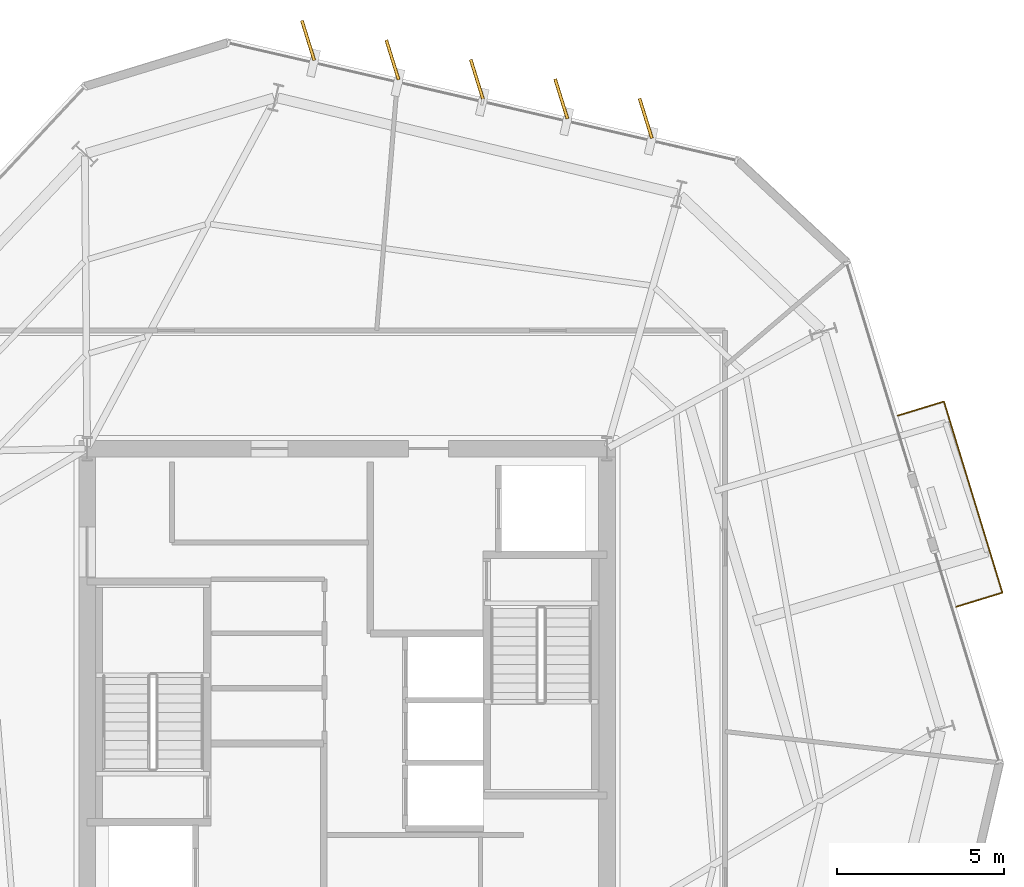
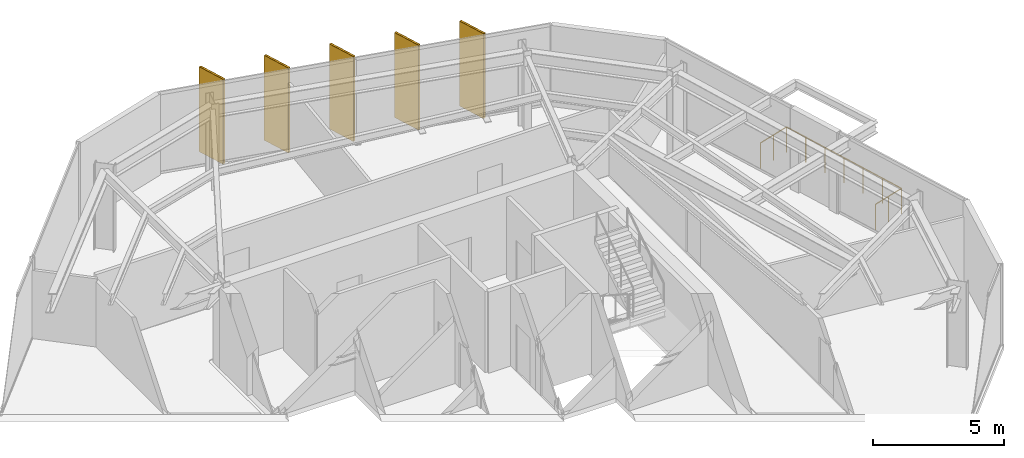
# One storey, part 11 of 11: 5 coverings, 5 shading devices, 1 railing.
"""IFC4 building model written with IfcOpenShell, lengths in metres."""

from ifc_helpers import new_model, si_unit, direction, frame, origin, origin_2d, place, context, subcontext, project, spatial, rectangle, circle, extrude, material, layer, layer_set, type_object, element, save


model = new_model("IFC4")

# Units and contexts
model_context = context("Model", 3, precision=1e-05, world=origin(), true_north=direction((0.0, 1.0)))
body_context = subcontext(model_context, "Body", "Model", "MODEL_VIEW")
ifc_project = project(units=[si_unit("LENGTHUNIT", "METRE"), si_unit("AREAUNIT", "SQUARE_METRE"), si_unit("VOLUMEUNIT", "CUBIC_METRE"), si_unit("PLANEANGLEUNIT", "RADIAN"), si_unit("MASSUNIT", "GRAM", prefix="KILO")], contexts=[model_context])

# Site, building, storey
site_placement = place(None, origin())
site = spatial("IfcSite", under=ifc_project, at=site_placement, CompositionType="ELEMENT")
building_placement = place(site_placement, origin())
building = spatial("IfcBuilding", under=site, at=building_placement, Name="Kranzbogen Civic Tower", CompositionType="ELEMENT")
storey_placement = place(building_placement, frame((0.0, 0.0, 212.800048828125)))
storey = spatial("IfcBuildingStorey", under=building, at=storey_placement, Name="L51", CompositionType="ELEMENT", Elevation=212.800048828125)

# Coverings
ifc_material_1 = material(Name="Pale Anodised Aluminium", Category="aluminium")
ifc_layer = layer(ifc_material_1, 0.02490234375, Name="Pale Anodised Aluminium")
ifc_layer_set = layer_set([ifc_layer], Name="Pale Anodised Aluminium")
covering_type = type_object("IfcCoveringType", Name="Anodised Aluminium Vertical Fin Cladding 25 mm", PredefinedType="CLADDING", material=ifc_layer_set)
for number, where, z_axis, x_axis, name in (
    (1, (33.964111328125, 42.112060546875, -0.14013671875), (0.0, 0.0, 1.0), (-0.296491569842, 0.955035470029, 0.0), "L51 vertical fin pale-metal cladding F1-1"),
    (2, (31.430908203125, 42.697021484375, -0.14013671875), (0.0, 0.0, 1.0), (-0.296491569842, 0.955035470029, 0.0), "L51 vertical fin pale-metal cladding F1-2"),
    (3, (28.89697265625, 43.281982421875, -0.14013671875), (0.0, 0.0, 1.0), (-0.296491569842, 0.955035470029, 0.0), "L51 vertical fin pale-metal cladding F1-3"),
    (4, (26.364013671875, 43.866943359375, -0.14013671875), (0.0, 0.0, 1.0), (-0.296491569842, 0.955035470029, 0.0), "L51 vertical fin pale-metal cladding F1-4"),
    (5, (23.8310546875, 44.451904296875, -0.14013671875), (0.0, 0.0, 1.0), (-0.296491569842, 0.955035470029, 0.0), "L51 vertical fin pale-metal cladding F1-5"),
):
    element("IfcCovering", number, at=place(storey_placement, frame(where, z_axis=z_axis, x_axis=x_axis)), inside=storey, type_object=covering_type, Name=name, PredefinedType="CLADDING", context=body_context, shape_type="SweptSolid", body=[
        extrude(rectangle(XDim=1.25, YDim=0.10009765625, at=origin_2d()), origin(), (0.0, 0.0, 1.0), 3.9599609375),
    ])

# Shading devices
ifc_material_2 = material(Name="Anodised Bronze Aluminium", Category="aluminium")
shading_device_type = type_object("IfcShadingDeviceType", Name="Anodised Bronze Vertical Facade Fin 1250x80", PredefinedType="USERDEFINED", material=ifc_material_2)
for number, where, z_axis, x_axis, name in (
    (6, (33.964111328125, 42.112060546875, -0.14013671875), (0.0, 0.0, 1.0), (-0.296491569842, 0.955035470029, 0.0), "L51 vertical exterior shading fin F1-1"),
    (7, (31.430908203125, 42.697021484375, -0.14013671875), (0.0, 0.0, 1.0), (-0.296491569842, 0.955035470029, 0.0), "L51 vertical exterior shading fin F1-2"),
    (8, (28.89697265625, 43.281982421875, -0.14013671875), (0.0, 0.0, 1.0), (-0.296491569842, 0.955035470029, 0.0), "L51 vertical exterior shading fin F1-3"),
    (9, (26.364013671875, 43.866943359375, -0.14013671875), (0.0, 0.0, 1.0), (-0.296491569842, 0.955035470029, 0.0), "L51 vertical exterior shading fin F1-4"),
    (10, (23.8310546875, 44.451904296875, -0.14013671875), (0.0, 0.0, 1.0), (-0.296491569842, 0.955035470029, 0.0), "L51 vertical exterior shading fin F1-5"),
):
    element("IfcShadingDevice", number, at=place(storey_placement, frame(where, z_axis=z_axis, x_axis=x_axis)), inside=storey, type_object=shading_device_type, Name=name, ObjectType="FIN", PredefinedType="USERDEFINED", context=body_context, shape_type="SweptSolid", body=[
        extrude(rectangle(XDim=1.25, YDim=0.080078125, at=origin_2d()), origin(), (0.0, 0.0, 1.0), 3.9599609375),
    ])

# Railing
railing_type = type_object("IfcRailingType", Name="Cantilevered Balcony Glass and Bronze Balustrade 1200", PredefinedType="BALUSTRADE", material=ifc_material_2)
railing_placement = place(storey_placement, frame((43.281982421875, 27.451904296875, 0.0)))
element("IfcRailing", 11, at=railing_placement, inside=storey, type_object=railing_type, Name="L51 exterior terrace balustrade L51-TB2", PredefinedType="BALUSTRADE", context=body_context, shape_type="SweptSolid", body=[
    extrude(circle(Radius=0.02392578125, at=origin_2d()), frame((0.0, 0.0, 1.17578125), z_axis=(0.956297978379, 0.292393872284, 0.0), x_axis=(-0.292393872284, 0.956297978379, 0.0)), (0.0, 0.0, 1.0), 1.450439453125),
    extrude(circle(Radius=0.02392578125, at=origin_2d()), frame((1.386962890625, 0.424072265625, 1.17578125), z_axis=(-0.292312605077, 0.956322822541, 0.0), x_axis=(-0.956322822541, -0.292312605077, 0.0)), (0.0, 0.0, 1.0), 6.0),
    extrude(circle(Radius=0.02392578125, at=origin_2d()), frame((-0.366943359375, 6.162109375, 1.17578125), z_axis=(-0.956297978379, -0.292393872284, 0.0), x_axis=(0.292393872284, -0.956297978379, 0.0)), (0.0, 0.0, 1.0), 1.450439453125),
    extrude(circle(Radius=0.02099609375, at=origin_2d()), origin(), (0.0, 0.0, 1.0), 1.15185546875),
    extrude(circle(Radius=0.02099609375, at=origin_2d()), frame((0.693359375, 0.2119140625, 0.0)), (0.0, 0.0, 1.0), 1.15185546875),
    extrude(circle(Radius=0.02099609375, at=origin_2d()), frame((1.386962890625, 0.424072265625, 0.0)), (0.0, 0.0, 1.0), 1.15185546875),
    extrude(circle(Radius=0.02099609375, at=origin_2d()), frame((1.0947265625, 1.38037109375, 0.0)), (0.0, 0.0, 1.0), 1.15185546875),
    extrude(circle(Radius=0.02099609375, at=origin_2d()), frame((0.80224609375, 2.336669921875, 0.0)), (0.0, 0.0, 1.0), 1.15185546875),
    extrude(circle(Radius=0.02099609375, at=origin_2d()), frame((0.510009765625, 3.29296875, 0.0)), (0.0, 0.0, 1.0), 1.15185546875),
    extrude(circle(Radius=0.02099609375, at=origin_2d()), frame((0.2177734375, 4.24951171875, 0.0)), (0.0, 0.0, 1.0), 1.15185546875),
    extrude(circle(Radius=0.02099609375, at=origin_2d()), frame((-0.07470703125, 5.205810546875, 0.0)), (0.0, 0.0, 1.0), 1.15185546875),
    extrude(circle(Radius=0.02099609375, at=origin_2d()), frame((-0.366943359375, 6.162109375, 0.0)), (0.0, 0.0, 1.0), 1.15185546875),
    extrude(circle(Radius=0.02099609375, at=origin_2d()), frame((-1.060546875, 5.9501953125, 0.0)), (0.0, 0.0, 1.0), 1.15185546875),
    extrude(circle(Radius=0.02099609375, at=origin_2d()), frame((-1.75390625, 5.738037109375, 0.0)), (0.0, 0.0, 1.0), 1.15185546875),
])

save(model, "model.ifc")
